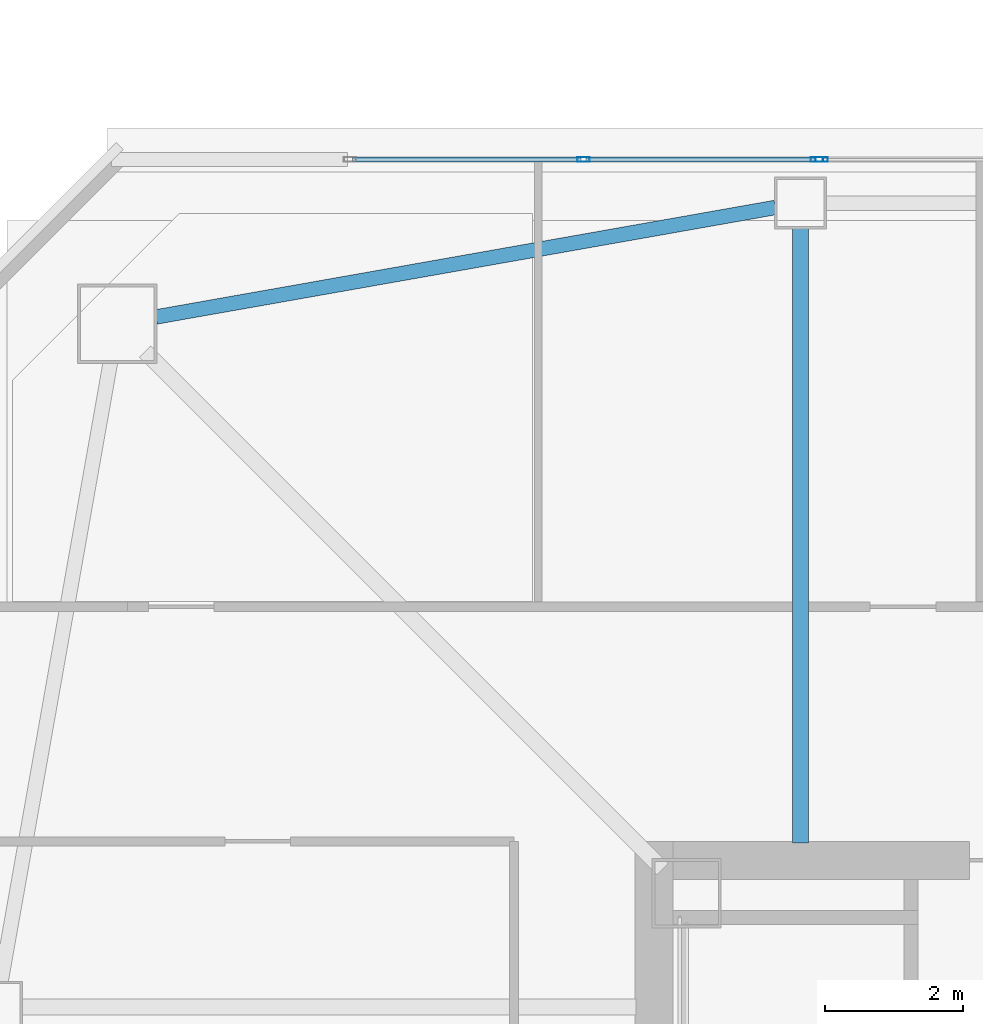
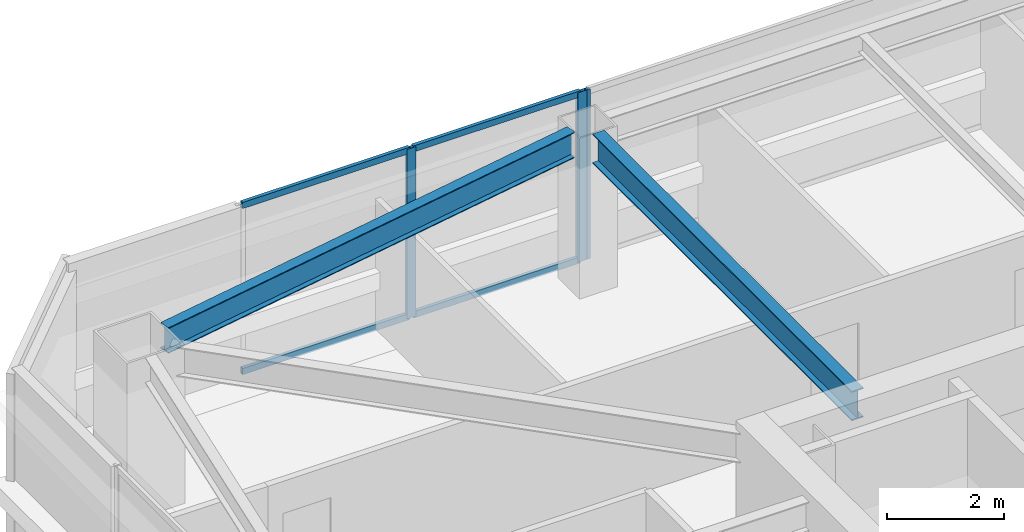
# One storey, part 13 of 43: 7 members, 2 beams, 2 elements without a shape of their own.
"""IFC4 building model written with IfcOpenShell, lengths in metres."""

from ifc_helpers import new_model, si_unit, direction, frame, origin, origin_2d, place, context, subcontext, project, spatial, hollow_rectangle, i_section, extrude, material, material_profile, profile_set, type_object, element, aggregate, save


model = new_model("IFC4")

# Units and contexts
model_context = context("Model", 3, precision=1e-05, world=origin(), true_north=direction((0.0, 1.0)))
body_context = subcontext(model_context, "Body", "Model", "MODEL_VIEW")
ifc_project = project(units=[si_unit("LENGTHUNIT", "METRE"), si_unit("AREAUNIT", "SQUARE_METRE"), si_unit("VOLUMEUNIT", "CUBIC_METRE"), si_unit("PLANEANGLEUNIT", "RADIAN"), si_unit("MASSUNIT", "GRAM", prefix="KILO")], contexts=[model_context])

# Site, building, storey
site_placement = place(None, origin())
site = spatial("IfcSite", under=ifc_project, at=site_placement, CompositionType="ELEMENT")
building_placement = place(site_placement, origin())
building = spatial("IfcBuilding", under=site, at=building_placement, Name="Tashvorn Skyway Center", CompositionType="ELEMENT")
storey_placement = place(building_placement, frame((0.0, 0.0, 160.550048828125)))
storey = spatial("IfcBuildingStorey", under=building, at=storey_placement, Name="L43", CompositionType="ELEMENT", Elevation=160.550048828125)

# Beams
ifc_material_1 = material(Name="Steel ASTM A992 Grade 50", Category="steel")
ifc_material_profile_1 = material_profile(ifc_material_1, i_section(OverallWidth=0.22998046875, OverallDepth=0.616943359375, WebThickness=0.01318359375, FlangeThickness=0.022216796875, at=origin_2d()), Name="W24X94")
ifc_profile_set_1 = profile_set([ifc_material_profile_1], Name="Steel ASTM A992 Grade 50")
beam_type_1 = type_object("IfcBeamType", Name="BM-BEAM-W24X94", PredefinedType="BEAM", material=ifc_profile_set_1)
beam_1_placement = place(storey_placement, frame((36.60009765625, 48.679931640625, 3.0615234375), z_axis=(0.0, -1.0, 0.0), x_axis=(1.0, 0.0, 0.0)))
element("IfcBeam", 1, at=beam_1_placement, inside=storey, type_object=beam_type_1, Name="Tower 1 L43 Primary Floor Girder FC-N2", PredefinedType="BEAM", context=body_context, shape_type="SweptSolid", body=[
    extrude(i_section(OverallWidth=0.22998046875, OverallDepth=0.616943359375, WebThickness=0.01318359375, FlangeThickness=0.022216796875, at=origin_2d()), origin(), (0.0, 0.0, 1.0), 8.89990234375),
])
ifc_material_profile_2 = material_profile(ifc_material_1, i_section(OverallWidth=0.2109375, OverallDepth=0.5390625, WebThickness=0.01171875, FlangeThickness=0.018798828125, at=origin_2d()), Name="W21X73")
ifc_profile_set_2 = profile_set([ifc_material_profile_2], Name="Steel ASTM A992 Grade 50")
beam_type_2 = type_object("IfcBeamType", Name="BM-SPANDREL-W21X73", PredefinedType="SPANDREL", material=ifc_profile_set_2)
beam_2_placement = place(storey_placement, frame((36.235595703125, 48.985595703125, 3.100341796875), z_axis=(-0.984732545667, -0.174074160933, 0.0), x_axis=(0.174074160933, -0.984732545667, 0.0)))
element("IfcBeam", 2, at=beam_2_placement, inside=storey, type_object=beam_type_2, Name="Tower 1 L43 Spandrel Beam 09", PredefinedType="SPANDREL", context=body_context, shape_type="SweptSolid", body=[
    extrude(i_section(OverallWidth=0.2109375, OverallDepth=0.5390625, WebThickness=0.01171875, FlangeThickness=0.018798828125, at=origin_2d()), origin(), (0.0, 0.0, 1.0), 9.113525390625),
])

# Curtain wall, members
ifc_material_2 = material(Name="Thermally broken bronze-anodized aluminium 6063-T6", Category="aluminium")
curtain_wall_type = type_object("IfcCurtainWallType", Name="CW-CW-Z4", PredefinedType="NOTDEFINED", material=ifc_material_2)
curtain_wall_1_placement = place(storey_placement, origin())
curtain_wall_1 = element("IfcCurtainWall", 3, at=curtain_wall_1_placement, inside=storey, type_object=curtain_wall_type, Name="Tower 1 L43 North Unitised Curtain Wall Glazing Group 1", PredefinedType="NOTDEFINED")
ifc_material_profile_3 = material_profile(ifc_material_2, hollow_rectangle(XDim=0.070068359375, YDim=0.179931640625, WallThickness=0.00390625, at=origin_2d()), Name="ALU-MULL-70x180")
ifc_profile_set_3 = profile_set([ifc_material_profile_3], Name="Thermally broken bronze-anodized aluminium 6063-T6")
member_type_1 = type_object("IfcMemberType", Name="CWM-CW-Z4", PredefinedType="MULLION", material=ifc_profile_set_3)
member_1_placement = place(storey_placement, frame((33.45556640625, 49.679931640625, 0.0), z_axis=(0.0, 0.0, 1.0), x_axis=(0.0, 1.0, 0.0)))
member_1 = element("IfcMember", 4, at=member_1_placement, type_object=member_type_1, Name="CW-Z4 mullion 2", PredefinedType="MULLION", context=body_context, shape_type="SweptSolid", body=[
    extrude(hollow_rectangle(XDim=0.070068359375, YDim=0.179931640625, WallThickness=0.00390625, at=origin_2d()), origin(), (0.0, 0.0, 1.0), 3.550048828125),
])
member_2_placement = place(storey_placement, frame((36.83837890625, 49.679931640625, 0.0), z_axis=(0.0, 0.0, 1.0), x_axis=(0.0, 1.0, 0.0)))
member_2 = element("IfcMember", 5, at=member_2_placement, type_object=member_type_1, Name="CW-Z4 mullion 3", PredefinedType="MULLION", context=body_context, shape_type="SweptSolid", body=[
    extrude(hollow_rectangle(XDim=0.070068359375, YDim=0.179931640625, WallThickness=0.00390625, at=origin_2d()), origin(), (0.0, 0.0, 1.0), 3.550048828125),
])

# Curtain wall, member
curtain_wall_2_placement = place(storey_placement, origin())
curtain_wall_2 = element("IfcCurtainWall", 6, at=curtain_wall_2_placement, inside=storey, type_object=curtain_wall_type, Name="Tower 1 L43 North Unitised Curtain Wall Glazing Group 2", PredefinedType="NOTDEFINED")
member_3_placement = place(storey_placement, frame((36.908203125, 49.679931640625, 0.0), z_axis=(0.0, 0.0, 1.0), x_axis=(0.0, 1.0, 0.0)))
member_3 = element("IfcMember", 7, at=member_3_placement, type_object=member_type_1, Name="CW-Z4 mullion 1", PredefinedType="MULLION", context=body_context, shape_type="SweptSolid", body=[
    extrude(hollow_rectangle(XDim=0.070068359375, YDim=0.179931640625, WallThickness=0.00390625, at=origin_2d()), origin(), (0.0, 0.0, 1.0), 3.550048828125),
])
aggregate(curtain_wall_2, [member_3])

# Member
ifc_material_profile_4 = material_profile(ifc_material_2, hollow_rectangle(XDim=0.070068359375, YDim=0.1298828125, WallThickness=0.00390625, at=origin_2d()), Name="ALU-TRAN-70x130")
ifc_profile_set_4 = profile_set([ifc_material_profile_4], Name="Thermally broken bronze-anodized aluminium 6063-T6")
member_type_2 = type_object("IfcMemberType", Name="CWT-CW-Z4", PredefinedType="USERDEFINED", material=ifc_profile_set_4)
member_4_placement = place(storey_placement, frame((30.10791015625, 49.679931640625, 0.034912109375), z_axis=(1.0, 0.0, 0.0), x_axis=(0.0, 1.0, 0.0)))
member_4 = element("IfcMember", 8, at=member_4_placement, type_object=member_type_2, Name="CW-Z4 transom 1.1", ObjectType="TRANSOM", PredefinedType="USERDEFINED", context=body_context, shape_type="SweptSolid", body=[
    extrude(hollow_rectangle(XDim=0.070068359375, YDim=0.1298828125, WallThickness=0.00390625, at=origin_2d()), origin(), (0.0, 0.0, 1.0), 3.312744140625),
])

member_5_placement = place(storey_placement, frame((30.10791015625, 49.679931640625, 3.514892578125), z_axis=(1.0, 0.0, 0.0), x_axis=(0.0, 1.0, 0.0)))
member_5 = element("IfcMember", 9, at=member_5_placement, type_object=member_type_2, Name="CW-Z4 transom 1.2", ObjectType="TRANSOM", PredefinedType="USERDEFINED", context=body_context, shape_type="SweptSolid", body=[
    extrude(hollow_rectangle(XDim=0.070068359375, YDim=0.1298828125, WallThickness=0.00390625, at=origin_2d()), origin(), (0.0, 0.0, 1.0), 3.312744140625),
])

member_6_placement = place(storey_placement, frame((33.490478515625, 49.679931640625, 0.034912109375), z_axis=(1.0, 0.0, 0.0), x_axis=(0.0, 1.0, 0.0)))
member_6 = element("IfcMember", 10, at=member_6_placement, type_object=member_type_2, Name="CW-Z4 transom 2.1", ObjectType="TRANSOM", PredefinedType="USERDEFINED", context=body_context, shape_type="SweptSolid", body=[
    extrude(hollow_rectangle(XDim=0.070068359375, YDim=0.1298828125, WallThickness=0.00390625, at=origin_2d()), origin(), (0.0, 0.0, 1.0), 3.312744140625),
])

member_7_placement = place(storey_placement, frame((33.490478515625, 49.679931640625, 3.514892578125), z_axis=(1.0, 0.0, 0.0), x_axis=(0.0, 1.0, 0.0)))
member_7 = element("IfcMember", 11, at=member_7_placement, type_object=member_type_2, Name="CW-Z4 transom 2.2", ObjectType="TRANSOM", PredefinedType="USERDEFINED", context=body_context, shape_type="SweptSolid", body=[
    extrude(hollow_rectangle(XDim=0.070068359375, YDim=0.1298828125, WallThickness=0.00390625, at=origin_2d()), origin(), (0.0, 0.0, 1.0), 3.312744140625),
])

aggregate(curtain_wall_1, [member_1, member_2, member_4, member_5, member_6, member_7])

save(model, "model.ifc")
